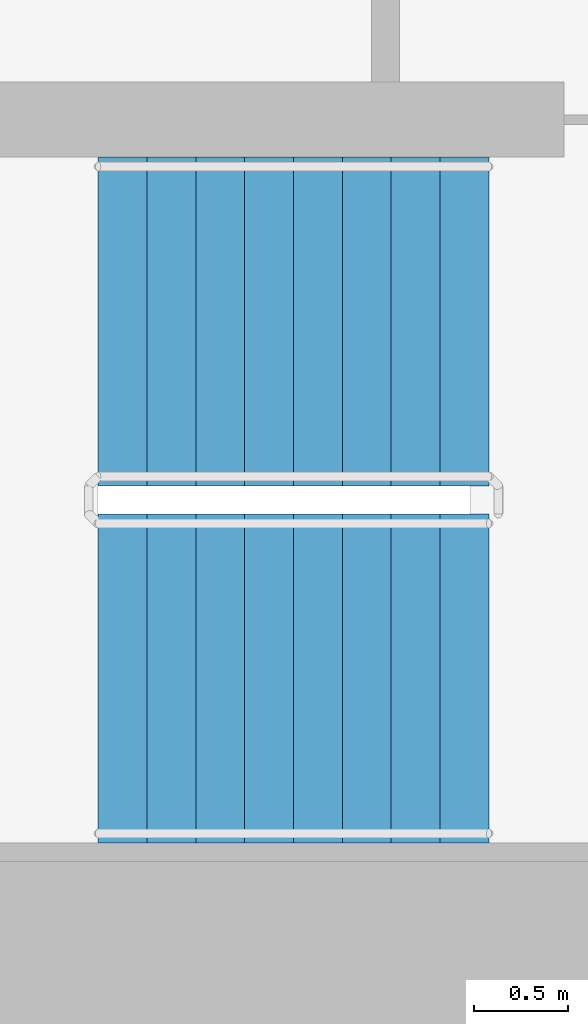
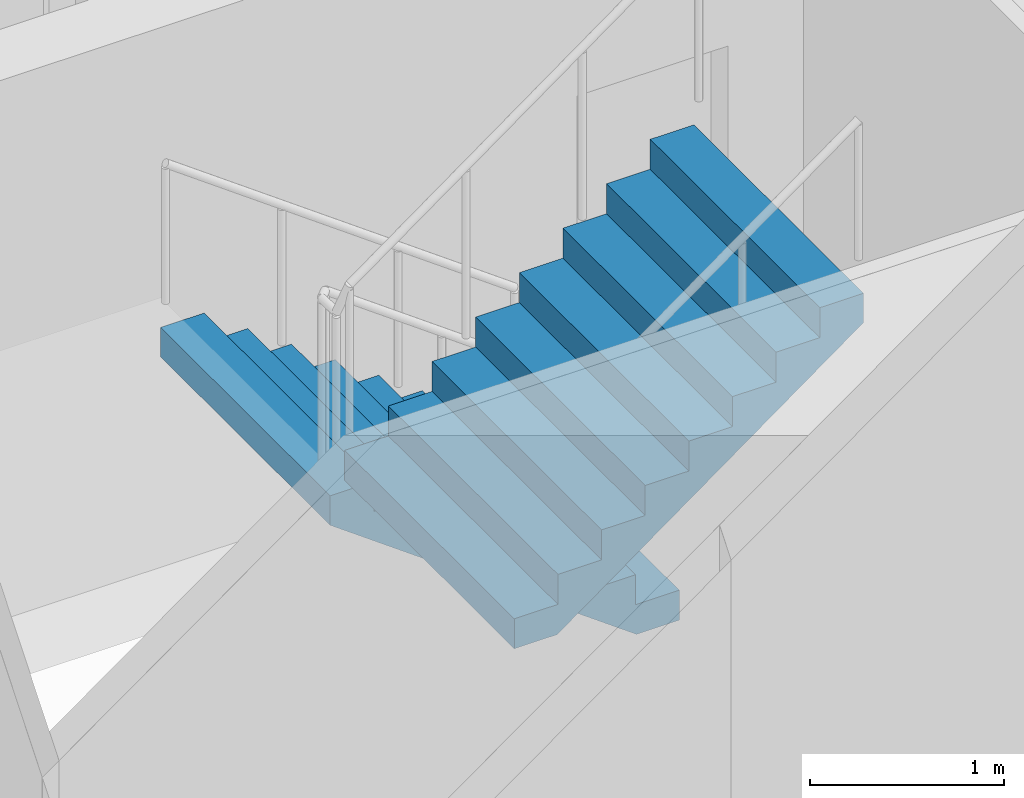
# One storey, part 17 of 23: 2 stair flights, 1 element without a shape of its own.
"""IFC4 building model written with IfcOpenShell, lengths in metres."""

from ifc_helpers import new_model, si_unit, direction, frame, origin, place, context, subcontext, project, spatial, faceted_brep, material, type_object, element, aggregate, save


model = new_model("IFC4")

# Units and contexts
model_context = context("Model", 3, precision=1e-05, world=origin(), true_north=direction((0.0, 1.0)))
body_context = subcontext(model_context, "Body", "Model", "MODEL_VIEW")
ifc_project = project(units=[si_unit("LENGTHUNIT", "METRE"), si_unit("AREAUNIT", "SQUARE_METRE"), si_unit("VOLUMEUNIT", "CUBIC_METRE"), si_unit("PLANEANGLEUNIT", "RADIAN"), si_unit("MASSUNIT", "GRAM", prefix="KILO")], contexts=[model_context])

# Site, building, storey
site_placement = place(None, origin())
site = spatial("IfcSite", under=ifc_project, at=site_placement, CompositionType="ELEMENT")
building_placement = place(site_placement, origin())
building = spatial("IfcBuilding", under=site, at=building_placement, Name="Ipe Terrace Towers", CompositionType="ELEMENT")
storey_placement = place(building_placement, frame((0.0, 0.0, 44.89990234375)))
storey = spatial("IfcBuildingStorey", under=building, at=storey_placement, Name="L11", CompositionType="ELEMENT", Elevation=44.89990234375)

# Stair, stair flights
ifc_material_1 = material(Name="Concrete C30/37", Category="concrete")
stair_type = type_object("IfcStairType", Name="Protected exit stair", PredefinedType="HALF_TURN_STAIR", material=ifc_material_1)
stair_placement = place(storey_placement, origin())
stair = element("IfcStair", 1, at=stair_placement, inside=storey, type_object=stair_type, Name="L11 Exit stair T1-C2", PredefinedType="HALF_TURN_STAIR")
ifc_material_2 = material(Name="Concrete C30/37", Category="concrete")
stair_flight_type = type_object("IfcStairFlightType", Name="Exit stair flight 1750", PredefinedType="STRAIGHT", material=ifc_material_2)
stair_flight_1_placement = place(storey_placement, frame((-45.699951171875, -2.77490234375, 0.0), z_axis=(0.0, 0.0, 1.0), x_axis=(-1.0, 0.0, 0.0)))
stair_flight_1 = element("IfcStairFlight", 2, at=stair_flight_1_placement, type_object=stair_flight_type, Name="T1-ST2 flight 1", NumberOfRisers=9, NumberOfTreads=8, PredefinedType="STRAIGHT", RiserHeight=0.188888889, TreadLength=0.26, context=body_context, shape_type="Brep", body=[
    faceted_brep([(0.255126953125, -0.875, 0.0), (2.080078125, -0.875, 1.325927734375), (2.080078125, -0.875, 1.51123046875), (1.820068359375, -0.875, 1.51123046875), (1.820068359375, -0.875, 1.322265625), (1.56005859375, -0.875, 1.322265625), (1.56005859375, -0.875, 1.13330078125), (1.300048828125, -0.875, 1.13330078125), (1.300048828125, -0.875, 0.9443359375), (1.0400390625, -0.875, 0.9443359375), (1.0400390625, -0.875, 0.755615234375), (0.780029296875, -0.875, 0.755615234375), (0.780029296875, -0.875, 0.566650390625), (0.52001953125, -0.875, 0.566650390625), (0.52001953125, -0.875, 0.377685546875), (0.260009765625, -0.875, 0.377685546875), (0.260009765625, -0.875, 0.18896484375), (0.0, -0.875, 0.18896484375), (0.0, -0.875, 0.0), (0.0, 0.875, 0.0), (0.0, 0.875, 0.18896484375), (0.260009765625, 0.875, 0.18896484375), (0.260009765625, 0.875, 0.377685546875), (0.52001953125, 0.875, 0.377685546875), (0.52001953125, 0.875, 0.566650390625), (0.780029296875, 0.875, 0.566650390625), (0.780029296875, 0.875, 0.755615234375), (1.0400390625, 0.875, 0.755615234375), (1.0400390625, 0.875, 0.9443359375), (1.300048828125, 0.875, 0.9443359375), (1.300048828125, 0.875, 1.13330078125), (1.56005859375, 0.875, 1.13330078125), (1.56005859375, 0.875, 1.322265625), (1.820068359375, 0.875, 1.322265625), (1.820068359375, 0.875, 1.51123046875), (2.080078125, 0.875, 1.51123046875), (2.080078125, 0.875, 1.325927734375), (0.255126953125, 0.875, 0.0), (0.0, -0.300048828125, 0.18896484375), (0.0, -0.1201171875, 0.18896484375), (0.0, -0.06005859375, 0.18896484375), (0.0, -0.030029296875, 0.18896484375), (0.0, -0.010009765625, 0.18896484375), (0.0, 0.0, 0.18896484375), (0.0, 0.010009765625, 0.18896484375), (0.0, 0.030029296875, 0.18896484375), (0.0, 0.06005859375, 0.18896484375), (0.0, 0.1201171875, 0.18896484375), (0.0, 0.300048828125, 0.18896484375), (0.0, 0.300048828125, 0.0), (0.0, 0.1201171875, 0.0), (0.0, 0.06005859375, 0.0), (0.0, 0.030029296875, 0.0), (0.0, 0.010009765625, 0.0), (0.0, 0.0, 0.0), (0.0, -0.010009765625, 0.0), (0.0, -0.030029296875, 0.0), (0.0, -0.06005859375, 0.0), (0.0, -0.1201171875, 0.0), (0.0, -0.300048828125, 0.0), (0.260009765625, -0.300048828125, 0.18896484375), (0.260009765625, -0.1201171875, 0.18896484375), (0.260009765625, -0.06005859375, 0.18896484375), (0.260009765625, -0.030029296875, 0.18896484375), (0.260009765625, -0.010009765625, 0.18896484375), (0.260009765625, 0.0, 0.18896484375), (0.260009765625, 0.010009765625, 0.18896484375), (0.260009765625, 0.030029296875, 0.18896484375), (0.260009765625, 0.06005859375, 0.18896484375), (0.260009765625, 0.1201171875, 0.18896484375), (0.260009765625, 0.300048828125, 0.18896484375), (0.260009765625, -0.300048828125, 0.377685546875), (0.260009765625, -0.1201171875, 0.377685546875), (0.260009765625, -0.06005859375, 0.377685546875), (0.260009765625, -0.030029296875, 0.377685546875), (0.260009765625, -0.010009765625, 0.377685546875), (0.260009765625, 0.0, 0.377685546875), (0.260009765625, 0.010009765625, 0.377685546875), (0.260009765625, 0.030029296875, 0.377685546875), (0.260009765625, 0.06005859375, 0.377685546875), (0.260009765625, 0.1201171875, 0.377685546875), (0.260009765625, 0.300048828125, 0.377685546875), (0.52001953125, -0.300048828125, 0.377685546875), (0.52001953125, -0.1201171875, 0.377685546875), (0.52001953125, -0.06005859375, 0.377685546875), (0.52001953125, -0.030029296875, 0.377685546875), (0.52001953125, -0.010009765625, 0.377685546875), (0.52001953125, 0.0, 0.377685546875), (0.52001953125, 0.010009765625, 0.377685546875), (0.52001953125, 0.030029296875, 0.377685546875), (0.52001953125, 0.06005859375, 0.377685546875), (0.52001953125, 0.1201171875, 0.377685546875), (0.52001953125, 0.300048828125, 0.377685546875), (0.52001953125, -0.300048828125, 0.566650390625), (0.52001953125, -0.1201171875, 0.566650390625), (0.52001953125, -0.06005859375, 0.566650390625), (0.52001953125, -0.030029296875, 0.566650390625), (0.52001953125, -0.010009765625, 0.566650390625), (0.52001953125, 0.0, 0.566650390625), (0.52001953125, 0.010009765625, 0.566650390625), (0.52001953125, 0.030029296875, 0.566650390625), (0.52001953125, 0.06005859375, 0.566650390625), (0.52001953125, 0.1201171875, 0.566650390625), (0.52001953125, 0.300048828125, 0.566650390625), (0.780029296875, -0.300048828125, 0.566650390625), (0.780029296875, -0.1201171875, 0.566650390625), (0.780029296875, -0.06005859375, 0.566650390625), (0.780029296875, -0.030029296875, 0.566650390625), (0.780029296875, -0.010009765625, 0.566650390625), (0.780029296875, 0.0, 0.566650390625), (0.780029296875, 0.010009765625, 0.566650390625), (0.780029296875, 0.030029296875, 0.566650390625), (0.780029296875, 0.06005859375, 0.566650390625), (0.780029296875, 0.1201171875, 0.566650390625), (0.780029296875, 0.300048828125, 0.566650390625), (0.780029296875, -0.300048828125, 0.755615234375), (0.780029296875, -0.1201171875, 0.755615234375), (0.780029296875, -0.06005859375, 0.755615234375), (0.780029296875, -0.030029296875, 0.755615234375), (0.780029296875, -0.010009765625, 0.755615234375), (0.780029296875, 0.0, 0.755615234375), (0.780029296875, 0.010009765625, 0.755615234375), (0.780029296875, 0.030029296875, 0.755615234375), (0.780029296875, 0.06005859375, 0.755615234375), (0.780029296875, 0.1201171875, 0.755615234375), (0.780029296875, 0.300048828125, 0.755615234375), (1.0400390625, -0.300048828125, 0.755615234375), (1.0400390625, -0.1201171875, 0.755615234375), (1.0400390625, -0.06005859375, 0.755615234375), (1.0400390625, -0.030029296875, 0.755615234375), (1.0400390625, -0.010009765625, 0.755615234375), (1.0400390625, 0.0, 0.755615234375), (1.0400390625, 0.010009765625, 0.755615234375), (1.0400390625, 0.030029296875, 0.755615234375), (1.0400390625, 0.06005859375, 0.755615234375), (1.0400390625, 0.1201171875, 0.755615234375), (1.0400390625, 0.300048828125, 0.755615234375), (1.0400390625, -0.300048828125, 0.9443359375), (1.0400390625, -0.1201171875, 0.9443359375), (1.0400390625, -0.06005859375, 0.9443359375), (1.0400390625, -0.030029296875, 0.9443359375), (1.0400390625, -0.010009765625, 0.9443359375), (1.0400390625, 0.0, 0.9443359375), (1.0400390625, 0.010009765625, 0.9443359375), (1.0400390625, 0.030029296875, 0.9443359375), (1.0400390625, 0.06005859375, 0.9443359375), (1.0400390625, 0.1201171875, 0.9443359375), (1.0400390625, 0.300048828125, 0.9443359375), (1.300048828125, -0.300048828125, 0.9443359375), (1.300048828125, -0.1201171875, 0.9443359375), (1.300048828125, -0.06005859375, 0.9443359375), (1.300048828125, -0.030029296875, 0.9443359375), (1.300048828125, -0.010009765625, 0.9443359375), (1.300048828125, 0.0, 0.9443359375), (1.300048828125, 0.010009765625, 0.9443359375), (1.300048828125, 0.030029296875, 0.9443359375), (1.300048828125, 0.06005859375, 0.9443359375), (1.300048828125, 0.1201171875, 0.9443359375), (1.300048828125, 0.300048828125, 0.9443359375), (1.300048828125, -0.300048828125, 1.13330078125), (1.300048828125, -0.1201171875, 1.13330078125), (1.300048828125, -0.06005859375, 1.13330078125), (1.300048828125, -0.030029296875, 1.13330078125), (1.300048828125, -0.010009765625, 1.13330078125), (1.300048828125, 0.0, 1.13330078125), (1.300048828125, 0.010009765625, 1.13330078125), (1.300048828125, 0.030029296875, 1.13330078125), (1.300048828125, 0.06005859375, 1.13330078125), (1.300048828125, 0.1201171875, 1.13330078125), (1.300048828125, 0.300048828125, 1.13330078125), (1.56005859375, -0.300048828125, 1.13330078125), (1.56005859375, -0.1201171875, 1.13330078125), (1.56005859375, -0.06005859375, 1.13330078125), (1.56005859375, -0.030029296875, 1.13330078125), (1.56005859375, -0.010009765625, 1.13330078125), (1.56005859375, 0.0, 1.13330078125), (1.56005859375, 0.010009765625, 1.13330078125), (1.56005859375, 0.030029296875, 1.13330078125), (1.56005859375, 0.06005859375, 1.13330078125), (1.56005859375, 0.1201171875, 1.13330078125), (1.56005859375, 0.300048828125, 1.13330078125), (1.56005859375, -0.300048828125, 1.322265625), (1.56005859375, -0.1201171875, 1.322265625), (1.56005859375, -0.06005859375, 1.322265625), (1.56005859375, -0.030029296875, 1.322265625), (1.56005859375, -0.010009765625, 1.322265625), (1.56005859375, 0.0, 1.322265625), (1.56005859375, 0.010009765625, 1.322265625), (1.56005859375, 0.030029296875, 1.322265625), (1.56005859375, 0.06005859375, 1.322265625), (1.56005859375, 0.1201171875, 1.322265625), (1.56005859375, 0.300048828125, 1.322265625), (1.820068359375, -0.300048828125, 1.322265625), (1.820068359375, -0.1201171875, 1.322265625), (1.820068359375, -0.06005859375, 1.322265625), (1.820068359375, -0.030029296875, 1.322265625), (1.820068359375, -0.010009765625, 1.322265625), (1.820068359375, 0.0, 1.322265625), (1.820068359375, 0.010009765625, 1.322265625), (1.820068359375, 0.030029296875, 1.322265625), (1.820068359375, 0.06005859375, 1.322265625), (1.820068359375, 0.1201171875, 1.322265625), (1.820068359375, 0.300048828125, 1.322265625), (1.820068359375, -0.300048828125, 1.51123046875), (1.820068359375, -0.1201171875, 1.51123046875), (1.820068359375, -0.06005859375, 1.51123046875), (1.820068359375, -0.030029296875, 1.51123046875), (1.820068359375, -0.010009765625, 1.51123046875), (1.820068359375, 0.0, 1.51123046875), (1.820068359375, 0.010009765625, 1.51123046875), (1.820068359375, 0.030029296875, 1.51123046875), (1.820068359375, 0.06005859375, 1.51123046875), (1.820068359375, 0.1201171875, 1.51123046875), (1.820068359375, 0.300048828125, 1.51123046875), (2.080078125, -0.300048828125, 1.51123046875), (2.080078125, -0.1201171875, 1.51123046875), (2.080078125, -0.06005859375, 1.51123046875), (2.080078125, -0.030029296875, 1.51123046875), (2.080078125, -0.010009765625, 1.51123046875), (2.080078125, 0.0, 1.51123046875), (2.080078125, 0.010009765625, 1.51123046875), (2.080078125, 0.030029296875, 1.51123046875), (2.080078125, 0.06005859375, 1.51123046875), (2.080078125, 0.1201171875, 1.51123046875), (2.080078125, 0.300048828125, 1.51123046875), (2.080078125, -0.300048828125, 1.325927734375), (2.080078125, -0.1201171875, 1.325927734375), (2.080078125, -0.06005859375, 1.325927734375), (2.080078125, -0.030029296875, 1.325927734375), (2.080078125, -0.010009765625, 1.325927734375), (2.080078125, 0.0, 1.325927734375), (2.080078125, 0.010009765625, 1.325927734375), (2.080078125, 0.030029296875, 1.325927734375), (2.080078125, 0.06005859375, 1.325927734375), (2.080078125, 0.1201171875, 1.325927734375), (2.080078125, 0.300048828125, 1.325927734375), (0.255126953125, -0.300048828125, 0.0), (0.255126953125, -0.1201171875, 0.0), (0.255126953125, -0.06005859375, 0.0), (0.255126953125, -0.030029296875, 0.0), (0.255126953125, -0.010009765625, 0.0), (0.255126953125, 0.0, 0.0), (0.255126953125, 0.010009765625, 0.0), (0.255126953125, 0.030029296875, 0.0), (0.255126953125, 0.06005859375, 0.0), (0.255126953125, 0.1201171875, 0.0), (0.255126953125, 0.300048828125, 0.0)], [[[0, 1, 2, 3, 4, 5, 6, 7, 8, 9, 10, 11, 12, 13, 14, 15, 16, 17, 18]], [[19, 20, 21, 22, 23, 24, 25, 26, 27, 28, 29, 30, 31, 32, 33, 34, 35, 36, 37]], [[17, 38, 39, 40, 41, 42, 43, 44, 45, 46, 47, 48, 20, 19, 49, 50, 51, 52, 53, 54, 55, 56, 57, 58, 59, 18]], [[16, 60, 61, 62, 63, 64, 65, 66, 67, 68, 69, 70, 21, 20, 48, 47, 46, 45, 44, 43, 42, 41, 40, 39, 38, 17]], [[15, 71, 72, 73, 74, 75, 76, 77, 78, 79, 80, 81, 22, 21, 70, 69, 68, 67, 66, 65, 64, 63, 62, 61, 60, 16]], [[14, 82, 83, 84, 85, 86, 87, 88, 89, 90, 91, 92, 23, 22, 81, 80, 79, 78, 77, 76, 75, 74, 73, 72, 71, 15]], [[13, 93, 94, 95, 96, 97, 98, 99, 100, 101, 102, 103, 24, 23, 92, 91, 90, 89, 88, 87, 86, 85, 84, 83, 82, 14]], [[12, 104, 105, 106, 107, 108, 109, 110, 111, 112, 113, 114, 25, 24, 103, 102, 101, 100, 99, 98, 97, 96, 95, 94, 93, 13]], [[11, 115, 116, 117, 118, 119, 120, 121, 122, 123, 124, 125, 26, 25, 114, 113, 112, 111, 110, 109, 108, 107, 106, 105, 104, 12]], [[10, 126, 127, 128, 129, 130, 131, 132, 133, 134, 135, 136, 27, 26, 125, 124, 123, 122, 121, 120, 119, 118, 117, 116, 115, 11]], [[9, 137, 138, 139, 140, 141, 142, 143, 144, 145, 146, 147, 28, 27, 136, 135, 134, 133, 132, 131, 130, 129, 128, 127, 126, 10]], [[8, 148, 149, 150, 151, 152, 153, 154, 155, 156, 157, 158, 29, 28, 147, 146, 145, 144, 143, 142, 141, 140, 139, 138, 137, 9]], [[7, 159, 160, 161, 162, 163, 164, 165, 166, 167, 168, 169, 30, 29, 158, 157, 156, 155, 154, 153, 152, 151, 150, 149, 148, 8]], [[6, 170, 171, 172, 173, 174, 175, 176, 177, 178, 179, 180, 31, 30, 169, 168, 167, 166, 165, 164, 163, 162, 161, 160, 159, 7]], [[5, 181, 182, 183, 184, 185, 186, 187, 188, 189, 190, 191, 32, 31, 180, 179, 178, 177, 176, 175, 174, 173, 172, 171, 170, 6]], [[4, 192, 193, 194, 195, 196, 197, 198, 199, 200, 201, 202, 33, 32, 191, 190, 189, 188, 187, 186, 185, 184, 183, 182, 181, 5]], [[3, 203, 204, 205, 206, 207, 208, 209, 210, 211, 212, 213, 34, 33, 202, 201, 200, 199, 198, 197, 196, 195, 194, 193, 192, 4]], [[2, 214, 215, 216, 217, 218, 219, 220, 221, 222, 223, 224, 35, 34, 213, 212, 211, 210, 209, 208, 207, 206, 205, 204, 203, 3]], [[1, 225, 226, 227, 228, 229, 230, 231, 232, 233, 234, 235, 36, 35, 224, 223, 222, 221, 220, 219, 218, 217, 216, 215, 214, 2]], [[0, 236, 237, 238, 239, 240, 241, 242, 243, 244, 245, 246, 37, 36, 235, 234, 233, 232, 231, 230, 229, 228, 227, 226, 225, 1]], [[18, 59, 58, 57, 56, 55, 54, 53, 52, 51, 50, 49, 19, 37, 246, 245, 244, 243, 242, 241, 240, 239, 238, 237, 236, 0]]]),
])
stair_flight_2_placement = place(storey_placement, frame((-47.780029296875, -4.675048828125, 1.7001953125), z_axis=(0.0, 0.0, 1.0), x_axis=(1.0, 0.0, 0.0)))
stair_flight_2 = element("IfcStairFlight", 3, at=stair_flight_2_placement, type_object=stair_flight_type, Name="T1-ST2 flight 2", NumberOfRisers=9, NumberOfTreads=8, PredefinedType="STRAIGHT", RiserHeight=0.188888889, TreadLength=0.26, context=body_context, shape_type="Brep", body=[
    faceted_brep([(0.255126953125, -0.875, 0.0), (2.080078125, -0.875, 1.325927734375), (2.080078125, -0.875, 1.51123046875), (1.820068359375, -0.875, 1.51123046875), (1.820068359375, -0.875, 1.322265625), (1.56005859375, -0.875, 1.322265625), (1.56005859375, -0.875, 1.13330078125), (1.300048828125, -0.875, 1.13330078125), (1.300048828125, -0.875, 0.9443359375), (1.0400390625, -0.875, 0.9443359375), (1.0400390625, -0.875, 0.755615234375), (0.780029296875, -0.875, 0.755615234375), (0.780029296875, -0.875, 0.566650390625), (0.52001953125, -0.875, 0.566650390625), (0.52001953125, -0.875, 0.377685546875), (0.260009765625, -0.875, 0.377685546875), (0.260009765625, -0.875, 0.18896484375), (0.0, -0.875, 0.18896484375), (0.0, -0.875, 0.0), (0.0, 0.875, 0.0), (0.0, 0.875, 0.18896484375), (0.260009765625, 0.875, 0.18896484375), (0.260009765625, 0.875, 0.377685546875), (0.52001953125, 0.875, 0.377685546875), (0.52001953125, 0.875, 0.566650390625), (0.780029296875, 0.875, 0.566650390625), (0.780029296875, 0.875, 0.755615234375), (1.0400390625, 0.875, 0.755615234375), (1.0400390625, 0.875, 0.9443359375), (1.300048828125, 0.875, 0.9443359375), (1.300048828125, 0.875, 1.13330078125), (1.56005859375, 0.875, 1.13330078125), (1.56005859375, 0.875, 1.322265625), (1.820068359375, 0.875, 1.322265625), (1.820068359375, 0.875, 1.51123046875), (2.080078125, 0.875, 1.51123046875), (2.080078125, 0.875, 1.325927734375), (0.255126953125, 0.875, 0.0), (0.0, -0.300048828125, 0.18896484375), (0.0, -0.1201171875, 0.18896484375), (0.0, -0.06005859375, 0.18896484375), (0.0, -0.030029296875, 0.18896484375), (0.0, -0.010009765625, 0.18896484375), (0.0, 0.0, 0.18896484375), (0.0, 0.010009765625, 0.18896484375), (0.0, 0.030029296875, 0.18896484375), (0.0, 0.06005859375, 0.18896484375), (0.0, 0.1201171875, 0.18896484375), (0.0, 0.300048828125, 0.18896484375), (0.0, 0.300048828125, 0.0), (0.0, 0.1201171875, 0.0), (0.0, 0.06005859375, 0.0), (0.0, 0.030029296875, 0.0), (0.0, 0.010009765625, 0.0), (0.0, 0.0, 0.0), (0.0, -0.010009765625, 0.0), (0.0, -0.030029296875, 0.0), (0.0, -0.06005859375, 0.0), (0.0, -0.1201171875, 0.0), (0.0, -0.300048828125, 0.0), (0.260009765625, -0.300048828125, 0.18896484375), (0.260009765625, -0.1201171875, 0.18896484375), (0.260009765625, -0.06005859375, 0.18896484375), (0.260009765625, -0.030029296875, 0.18896484375), (0.260009765625, -0.010009765625, 0.18896484375), (0.260009765625, 0.0, 0.18896484375), (0.260009765625, 0.010009765625, 0.18896484375), (0.260009765625, 0.030029296875, 0.18896484375), (0.260009765625, 0.06005859375, 0.18896484375), (0.260009765625, 0.1201171875, 0.18896484375), (0.260009765625, 0.300048828125, 0.18896484375), (0.260009765625, -0.300048828125, 0.377685546875), (0.260009765625, -0.1201171875, 0.377685546875), (0.260009765625, -0.06005859375, 0.377685546875), (0.260009765625, -0.030029296875, 0.377685546875), (0.260009765625, -0.010009765625, 0.377685546875), (0.260009765625, 0.0, 0.377685546875), (0.260009765625, 0.010009765625, 0.377685546875), (0.260009765625, 0.030029296875, 0.377685546875), (0.260009765625, 0.06005859375, 0.377685546875), (0.260009765625, 0.1201171875, 0.377685546875), (0.260009765625, 0.300048828125, 0.377685546875), (0.52001953125, -0.300048828125, 0.377685546875), (0.52001953125, -0.1201171875, 0.377685546875), (0.52001953125, -0.06005859375, 0.377685546875), (0.52001953125, -0.030029296875, 0.377685546875), (0.52001953125, -0.010009765625, 0.377685546875), (0.52001953125, 0.0, 0.377685546875), (0.52001953125, 0.010009765625, 0.377685546875), (0.52001953125, 0.030029296875, 0.377685546875), (0.52001953125, 0.06005859375, 0.377685546875), (0.52001953125, 0.1201171875, 0.377685546875), (0.52001953125, 0.300048828125, 0.377685546875), (0.52001953125, -0.300048828125, 0.566650390625), (0.52001953125, -0.1201171875, 0.566650390625), (0.52001953125, -0.06005859375, 0.566650390625), (0.52001953125, -0.030029296875, 0.566650390625), (0.52001953125, -0.010009765625, 0.566650390625), (0.52001953125, 0.0, 0.566650390625), (0.52001953125, 0.010009765625, 0.566650390625), (0.52001953125, 0.030029296875, 0.566650390625), (0.52001953125, 0.06005859375, 0.566650390625), (0.52001953125, 0.1201171875, 0.566650390625), (0.52001953125, 0.300048828125, 0.566650390625), (0.780029296875, -0.300048828125, 0.566650390625), (0.780029296875, -0.1201171875, 0.566650390625), (0.780029296875, -0.06005859375, 0.566650390625), (0.780029296875, -0.030029296875, 0.566650390625), (0.780029296875, -0.010009765625, 0.566650390625), (0.780029296875, 0.0, 0.566650390625), (0.780029296875, 0.010009765625, 0.566650390625), (0.780029296875, 0.030029296875, 0.566650390625), (0.780029296875, 0.06005859375, 0.566650390625), (0.780029296875, 0.1201171875, 0.566650390625), (0.780029296875, 0.300048828125, 0.566650390625), (0.780029296875, -0.300048828125, 0.755615234375), (0.780029296875, -0.1201171875, 0.755615234375), (0.780029296875, -0.06005859375, 0.755615234375), (0.780029296875, -0.030029296875, 0.755615234375), (0.780029296875, -0.010009765625, 0.755615234375), (0.780029296875, 0.0, 0.755615234375), (0.780029296875, 0.010009765625, 0.755615234375), (0.780029296875, 0.030029296875, 0.755615234375), (0.780029296875, 0.06005859375, 0.755615234375), (0.780029296875, 0.1201171875, 0.755615234375), (0.780029296875, 0.300048828125, 0.755615234375), (1.0400390625, -0.300048828125, 0.755615234375), (1.0400390625, -0.1201171875, 0.755615234375), (1.0400390625, -0.06005859375, 0.755615234375), (1.0400390625, -0.030029296875, 0.755615234375), (1.0400390625, -0.010009765625, 0.755615234375), (1.0400390625, 0.0, 0.755615234375), (1.0400390625, 0.010009765625, 0.755615234375), (1.0400390625, 0.030029296875, 0.755615234375), (1.0400390625, 0.06005859375, 0.755615234375), (1.0400390625, 0.1201171875, 0.755615234375), (1.0400390625, 0.300048828125, 0.755615234375), (1.0400390625, -0.300048828125, 0.9443359375), (1.0400390625, -0.1201171875, 0.9443359375), (1.0400390625, -0.06005859375, 0.9443359375), (1.0400390625, -0.030029296875, 0.9443359375), (1.0400390625, -0.010009765625, 0.9443359375), (1.0400390625, 0.0, 0.9443359375), (1.0400390625, 0.010009765625, 0.9443359375), (1.0400390625, 0.030029296875, 0.9443359375), (1.0400390625, 0.06005859375, 0.9443359375), (1.0400390625, 0.1201171875, 0.9443359375), (1.0400390625, 0.300048828125, 0.9443359375), (1.300048828125, -0.300048828125, 0.9443359375), (1.300048828125, -0.1201171875, 0.9443359375), (1.300048828125, -0.06005859375, 0.9443359375), (1.300048828125, -0.030029296875, 0.9443359375), (1.300048828125, -0.010009765625, 0.9443359375), (1.300048828125, 0.0, 0.9443359375), (1.300048828125, 0.010009765625, 0.9443359375), (1.300048828125, 0.030029296875, 0.9443359375), (1.300048828125, 0.06005859375, 0.9443359375), (1.300048828125, 0.1201171875, 0.9443359375), (1.300048828125, 0.300048828125, 0.9443359375), (1.300048828125, -0.300048828125, 1.13330078125), (1.300048828125, -0.1201171875, 1.13330078125), (1.300048828125, -0.06005859375, 1.13330078125), (1.300048828125, -0.030029296875, 1.13330078125), (1.300048828125, -0.010009765625, 1.13330078125), (1.300048828125, 0.0, 1.13330078125), (1.300048828125, 0.010009765625, 1.13330078125), (1.300048828125, 0.030029296875, 1.13330078125), (1.300048828125, 0.06005859375, 1.13330078125), (1.300048828125, 0.1201171875, 1.13330078125), (1.300048828125, 0.300048828125, 1.13330078125), (1.56005859375, -0.300048828125, 1.13330078125), (1.56005859375, -0.1201171875, 1.13330078125), (1.56005859375, -0.06005859375, 1.13330078125), (1.56005859375, -0.030029296875, 1.13330078125), (1.56005859375, -0.010009765625, 1.13330078125), (1.56005859375, 0.0, 1.13330078125), (1.56005859375, 0.010009765625, 1.13330078125), (1.56005859375, 0.030029296875, 1.13330078125), (1.56005859375, 0.06005859375, 1.13330078125), (1.56005859375, 0.1201171875, 1.13330078125), (1.56005859375, 0.300048828125, 1.13330078125), (1.56005859375, -0.300048828125, 1.322265625), (1.56005859375, -0.1201171875, 1.322265625), (1.56005859375, -0.06005859375, 1.322265625), (1.56005859375, -0.030029296875, 1.322265625), (1.56005859375, -0.010009765625, 1.322265625), (1.56005859375, 0.0, 1.322265625), (1.56005859375, 0.010009765625, 1.322265625), (1.56005859375, 0.030029296875, 1.322265625), (1.56005859375, 0.06005859375, 1.322265625), (1.56005859375, 0.1201171875, 1.322265625), (1.56005859375, 0.300048828125, 1.322265625), (1.820068359375, -0.300048828125, 1.322265625), (1.820068359375, -0.1201171875, 1.322265625), (1.820068359375, -0.06005859375, 1.322265625), (1.820068359375, -0.030029296875, 1.322265625), (1.820068359375, -0.010009765625, 1.322265625), (1.820068359375, 0.0, 1.322265625), (1.820068359375, 0.010009765625, 1.322265625), (1.820068359375, 0.030029296875, 1.322265625), (1.820068359375, 0.06005859375, 1.322265625), (1.820068359375, 0.1201171875, 1.322265625), (1.820068359375, 0.300048828125, 1.322265625), (1.820068359375, -0.300048828125, 1.51123046875), (1.820068359375, -0.1201171875, 1.51123046875), (1.820068359375, -0.06005859375, 1.51123046875), (1.820068359375, -0.030029296875, 1.51123046875), (1.820068359375, -0.010009765625, 1.51123046875), (1.820068359375, 0.0, 1.51123046875), (1.820068359375, 0.010009765625, 1.51123046875), (1.820068359375, 0.030029296875, 1.51123046875), (1.820068359375, 0.06005859375, 1.51123046875), (1.820068359375, 0.1201171875, 1.51123046875), (1.820068359375, 0.300048828125, 1.51123046875), (2.080078125, -0.300048828125, 1.51123046875), (2.080078125, -0.1201171875, 1.51123046875), (2.080078125, -0.06005859375, 1.51123046875), (2.080078125, -0.030029296875, 1.51123046875), (2.080078125, -0.010009765625, 1.51123046875), (2.080078125, 0.0, 1.51123046875), (2.080078125, 0.010009765625, 1.51123046875), (2.080078125, 0.030029296875, 1.51123046875), (2.080078125, 0.06005859375, 1.51123046875), (2.080078125, 0.1201171875, 1.51123046875), (2.080078125, 0.300048828125, 1.51123046875), (2.080078125, -0.300048828125, 1.325927734375), (2.080078125, -0.1201171875, 1.325927734375), (2.080078125, -0.06005859375, 1.325927734375), (2.080078125, -0.030029296875, 1.325927734375), (2.080078125, -0.010009765625, 1.325927734375), (2.080078125, 0.0, 1.325927734375), (2.080078125, 0.010009765625, 1.325927734375), (2.080078125, 0.030029296875, 1.325927734375), (2.080078125, 0.06005859375, 1.325927734375), (2.080078125, 0.1201171875, 1.325927734375), (2.080078125, 0.300048828125, 1.325927734375), (0.255126953125, -0.300048828125, 0.0), (0.255126953125, -0.1201171875, 0.0), (0.255126953125, -0.06005859375, 0.0), (0.255126953125, -0.030029296875, 0.0), (0.255126953125, -0.010009765625, 0.0), (0.255126953125, 0.0, 0.0), (0.255126953125, 0.010009765625, 0.0), (0.255126953125, 0.030029296875, 0.0), (0.255126953125, 0.06005859375, 0.0), (0.255126953125, 0.1201171875, 0.0), (0.255126953125, 0.300048828125, 0.0)], [[[0, 1, 2, 3, 4, 5, 6, 7, 8, 9, 10, 11, 12, 13, 14, 15, 16, 17, 18]], [[19, 20, 21, 22, 23, 24, 25, 26, 27, 28, 29, 30, 31, 32, 33, 34, 35, 36, 37]], [[17, 38, 39, 40, 41, 42, 43, 44, 45, 46, 47, 48, 20, 19, 49, 50, 51, 52, 53, 54, 55, 56, 57, 58, 59, 18]], [[16, 60, 61, 62, 63, 64, 65, 66, 67, 68, 69, 70, 21, 20, 48, 47, 46, 45, 44, 43, 42, 41, 40, 39, 38, 17]], [[15, 71, 72, 73, 74, 75, 76, 77, 78, 79, 80, 81, 22, 21, 70, 69, 68, 67, 66, 65, 64, 63, 62, 61, 60, 16]], [[14, 82, 83, 84, 85, 86, 87, 88, 89, 90, 91, 92, 23, 22, 81, 80, 79, 78, 77, 76, 75, 74, 73, 72, 71, 15]], [[13, 93, 94, 95, 96, 97, 98, 99, 100, 101, 102, 103, 24, 23, 92, 91, 90, 89, 88, 87, 86, 85, 84, 83, 82, 14]], [[12, 104, 105, 106, 107, 108, 109, 110, 111, 112, 113, 114, 25, 24, 103, 102, 101, 100, 99, 98, 97, 96, 95, 94, 93, 13]], [[11, 115, 116, 117, 118, 119, 120, 121, 122, 123, 124, 125, 26, 25, 114, 113, 112, 111, 110, 109, 108, 107, 106, 105, 104, 12]], [[10, 126, 127, 128, 129, 130, 131, 132, 133, 134, 135, 136, 27, 26, 125, 124, 123, 122, 121, 120, 119, 118, 117, 116, 115, 11]], [[9, 137, 138, 139, 140, 141, 142, 143, 144, 145, 146, 147, 28, 27, 136, 135, 134, 133, 132, 131, 130, 129, 128, 127, 126, 10]], [[8, 148, 149, 150, 151, 152, 153, 154, 155, 156, 157, 158, 29, 28, 147, 146, 145, 144, 143, 142, 141, 140, 139, 138, 137, 9]], [[7, 159, 160, 161, 162, 163, 164, 165, 166, 167, 168, 169, 30, 29, 158, 157, 156, 155, 154, 153, 152, 151, 150, 149, 148, 8]], [[6, 170, 171, 172, 173, 174, 175, 176, 177, 178, 179, 180, 31, 30, 169, 168, 167, 166, 165, 164, 163, 162, 161, 160, 159, 7]], [[5, 181, 182, 183, 184, 185, 186, 187, 188, 189, 190, 191, 32, 31, 180, 179, 178, 177, 176, 175, 174, 173, 172, 171, 170, 6]], [[4, 192, 193, 194, 195, 196, 197, 198, 199, 200, 201, 202, 33, 32, 191, 190, 189, 188, 187, 186, 185, 184, 183, 182, 181, 5]], [[3, 203, 204, 205, 206, 207, 208, 209, 210, 211, 212, 213, 34, 33, 202, 201, 200, 199, 198, 197, 196, 195, 194, 193, 192, 4]], [[2, 214, 215, 216, 217, 218, 219, 220, 221, 222, 223, 224, 35, 34, 213, 212, 211, 210, 209, 208, 207, 206, 205, 204, 203, 3]], [[1, 225, 226, 227, 228, 229, 230, 231, 232, 233, 234, 235, 36, 35, 224, 223, 222, 221, 220, 219, 218, 217, 216, 215, 214, 2]], [[0, 236, 237, 238, 239, 240, 241, 242, 243, 244, 245, 246, 37, 36, 235, 234, 233, 232, 231, 230, 229, 228, 227, 226, 225, 1]], [[18, 59, 58, 57, 56, 55, 54, 53, 52, 51, 50, 49, 19, 37, 246, 245, 244, 243, 242, 241, 240, 239, 238, 237, 236, 0]]]),
])
aggregate(stair, [stair_flight_1, stair_flight_2])

save(model, "model.ifc")
